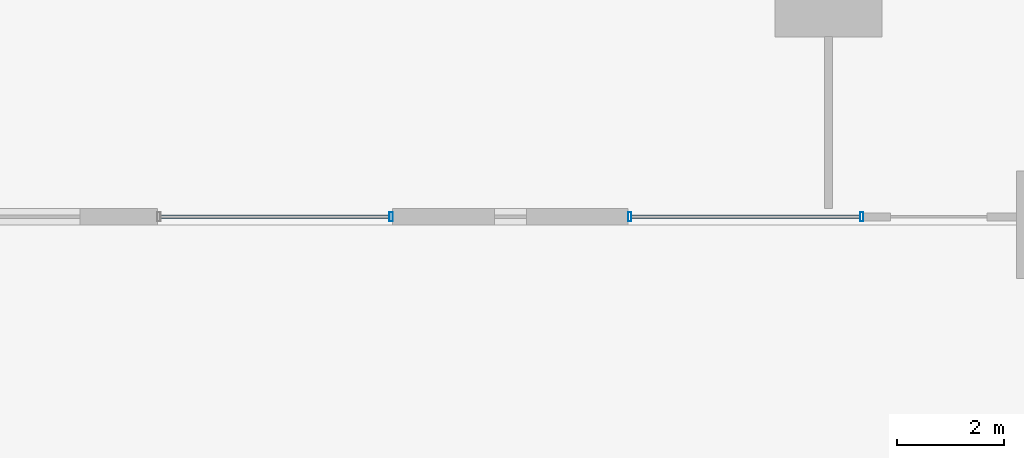
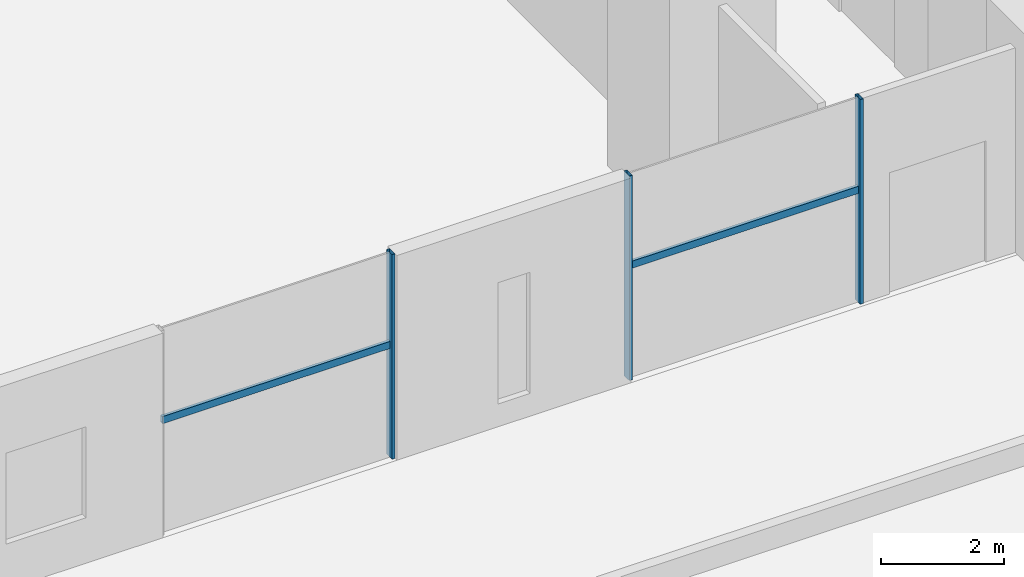
# One storey, part 9 of 26: 5 members, 2 elements without a shape of their own.
"""IFC4 building model written with IfcOpenShell, lengths in metres."""

from ifc_helpers import new_model, si_unit, direction, frame, origin, origin_2d, place, context, subcontext, project, spatial, hollow_rectangle, extrude, material, material_profile, profile_set, type_object, element, aggregate, save


model = new_model("IFC4")

# Units and contexts
model_context = context("Model", 3, precision=1e-05, world=origin(), true_north=direction((0.0, 1.0)))
body_context = subcontext(model_context, "Body", "Model", "MODEL_VIEW")
ifc_project = project(units=[si_unit("LENGTHUNIT", "METRE"), si_unit("AREAUNIT", "SQUARE_METRE"), si_unit("VOLUMEUNIT", "CUBIC_METRE"), si_unit("PLANEANGLEUNIT", "RADIAN"), si_unit("MASSUNIT", "GRAM", prefix="KILO")], contexts=[model_context])

# Site, building, storey
site_placement = place(None, origin())
site = spatial("IfcSite", under=ifc_project, at=site_placement, CompositionType="ELEMENT")
building_placement = place(site_placement, origin())
building = spatial("IfcBuilding", under=site, at=building_placement, Name="Altepetl Exchange Towers", CompositionType="ELEMENT")
storey_placement = place(building_placement, frame((0.0, 0.0, 16.5)))
storey = spatial("IfcBuildingStorey", under=building, at=storey_placement, Name="L03 Podium terrace", CompositionType="ELEMENT", Elevation=16.5)

# Curtain wall, member
ifc_material_1 = material(Name="Aluminium 6063-T6 glazing", Category="aluminium")
curtain_wall_type = type_object("IfcCurtainWallType", Name="Podium storefront system", PredefinedType="NOTDEFINED", material=ifc_material_1)
curtain_wall_1_placement = place(storey_placement, origin())
curtain_wall_1 = element("IfcCurtainWall", 1, at=curtain_wall_1_placement, inside=storey, type_object=curtain_wall_type, Name="CW5 run", PredefinedType="NOTDEFINED")
ifc_material_2 = material(Name="Aluminium 6063-T6", Category="aluminium")
ifc_material_profile_1 = material_profile(ifc_material_2, hollow_rectangle(XDim=0.06005859375, YDim=0.175048828125, WallThickness=0.0029296875, at=origin_2d()), Name="Mullion 60x175 aluminium")
ifc_profile_set_1 = profile_set([ifc_material_profile_1], Name="Aluminium 6063-T6")
member_type_1 = type_object("IfcMemberType", Name="Mullion 60x175 aluminium", PredefinedType="MULLION", material=ifc_profile_set_1)
member_1_placement = place(storey_placement, frame((86.353271484375, 27.14990234375, 0.0)))
member_1 = element("IfcMember", 2, at=member_1_placement, type_object=member_type_1, Name="MU4 mullion", PredefinedType="MULLION", context=body_context, shape_type="SweptSolid", body=[
    extrude(hollow_rectangle(XDim=0.06005859375, YDim=0.175048828125, WallThickness=0.0029296875, at=origin_2d()), origin(), (0.0, 0.0, 1.0), 4.050048828125),
])

# Curtain wall, members
curtain_wall_2_placement = place(storey_placement, origin())
curtain_wall_2 = element("IfcCurtainWall", 3, at=curtain_wall_2_placement, inside=storey, type_object=curtain_wall_type, Name="CW5 run", PredefinedType="NOTDEFINED")
member_2_placement = place(storey_placement, frame((90.796630859375, 27.14990234375, 0.0)))
member_2 = element("IfcMember", 4, at=member_2_placement, type_object=member_type_1, Name="MU4 mullion", PredefinedType="MULLION", context=body_context, shape_type="SweptSolid", body=[
    extrude(hollow_rectangle(XDim=0.06005859375, YDim=0.175048828125, WallThickness=0.0029296875, at=origin_2d()), origin(), (0.0, 0.0, 1.0), 4.050048828125),
])
member_3_placement = place(storey_placement, frame((95.1201171875, 27.14990234375, 0.0)))
member_3 = element("IfcMember", 5, at=member_3_placement, type_object=member_type_1, Name="MU4 mullion", PredefinedType="MULLION", context=body_context, shape_type="SweptSolid", body=[
    extrude(hollow_rectangle(XDim=0.06005859375, YDim=0.175048828125, WallThickness=0.0029296875, at=origin_2d()), origin(), (0.0, 0.0, 1.0), 4.050048828125),
])

# Member
ifc_material_profile_2 = material_profile(ifc_material_2, hollow_rectangle(XDim=0.06005859375, YDim=0.139892578125, WallThickness=0.0029296875, at=origin_2d()), Name="Transom 60x140 aluminium")
ifc_profile_set_2 = profile_set([ifc_material_profile_2], Name="Aluminium 6063-T6")
member_type_2 = type_object("IfcMemberType", Name="Transom 60x140 aluminium", PredefinedType="USERDEFINED", material=ifc_profile_set_2)
member_4_placement = place(storey_placement, frame((82.06005859375, 27.14990234375, 2.22998046875), z_axis=(1.0, 0.0, 0.0), x_axis=(0.0, 1.0, 0.0)))
member_4 = element("IfcMember", 6, at=member_4_placement, type_object=member_type_2, Name="TR3 transom", ObjectType="TRANSOM", PredefinedType="USERDEFINED", context=body_context, shape_type="SweptSolid", body=[
    extrude(hollow_rectangle(XDim=0.06005859375, YDim=0.139892578125, WallThickness=0.0029296875, at=origin_2d()), origin(), (0.0, 0.0, 1.0), 4.26318359375),
])

aggregate(curtain_wall_1, [member_1, member_4])

member_5_placement = place(storey_placement, frame((90.82666015625, 27.14990234375, 2.22998046875), z_axis=(1.0, 0.0, 0.0), x_axis=(0.0, 1.0, 0.0)))
member_5 = element("IfcMember", 7, at=member_5_placement, type_object=member_type_2, Name="TR3 transom", ObjectType="TRANSOM", PredefinedType="USERDEFINED", context=body_context, shape_type="SweptSolid", body=[
    extrude(hollow_rectangle(XDim=0.06005859375, YDim=0.139892578125, WallThickness=0.0029296875, at=origin_2d()), origin(), (0.0, 0.0, 1.0), 4.263427734375),
])

aggregate(curtain_wall_2, [member_2, member_3, member_5])

save(model, "model.ifc")
